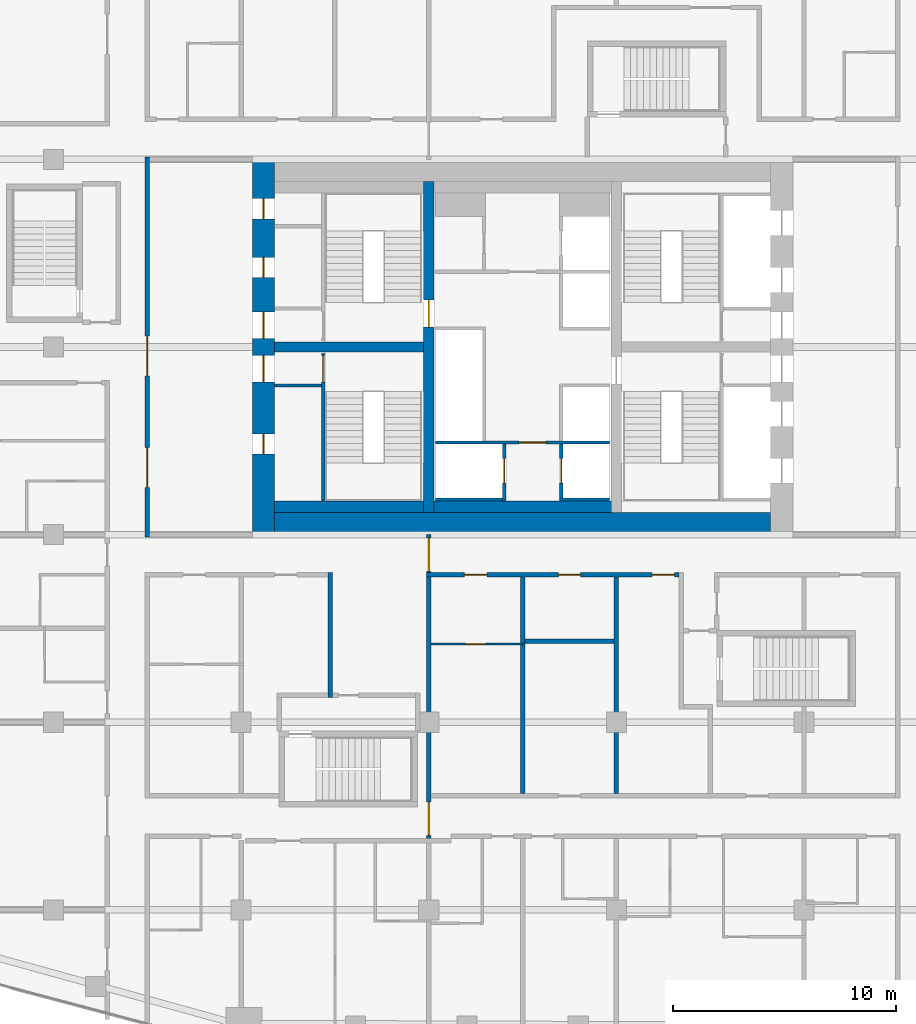
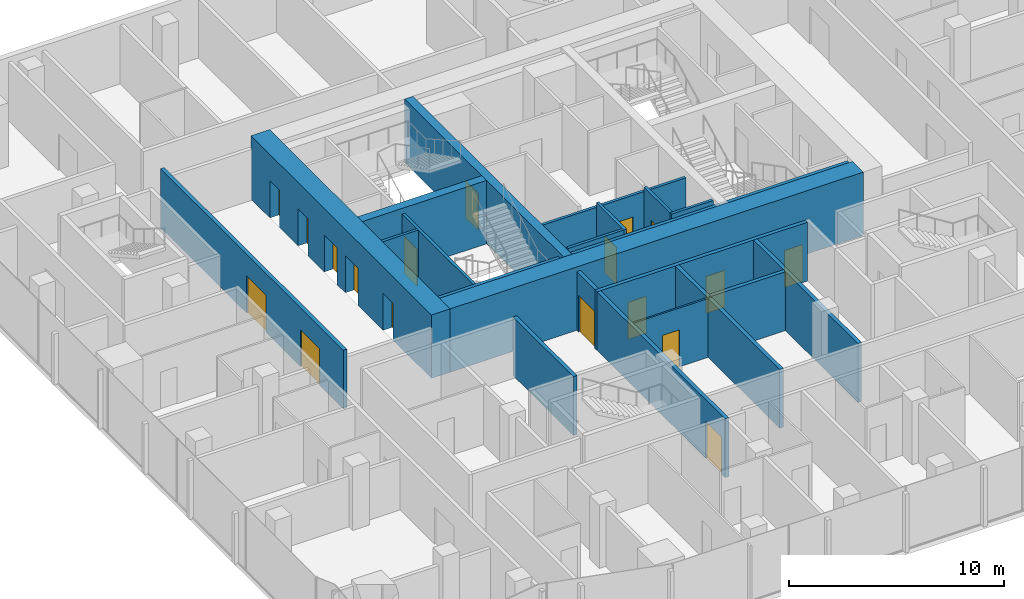
# One storey, part 15 of 23: 20 walls, 18 doors, 18 openings.
"""IFC4 building model written with IfcOpenShell, lengths in metres."""

from ifc_helpers import new_model, si_unit, direction, frame, frame_2d, origin, place, context, subcontext, project, spatial, rectangle, extrude, material, layer, layer_set, type_object, element, fill, save


model = new_model("IFC4")

# Units and contexts
model_context = context("Model", 3, precision=1e-05, world=origin(), true_north=direction((0.0, 1.0)))
body_context = subcontext(model_context, "Body", "Model", "MODEL_VIEW")
ifc_project = project(units=[si_unit("LENGTHUNIT", "METRE"), si_unit("AREAUNIT", "SQUARE_METRE"), si_unit("VOLUMEUNIT", "CUBIC_METRE"), si_unit("PLANEANGLEUNIT", "RADIAN"), si_unit("MASSUNIT", "GRAM", prefix="KILO")], contexts=[model_context])

# Site, building, storey
site_placement = place(None, origin())
site = spatial("IfcSite", under=ifc_project, at=site_placement, CompositionType="ELEMENT")
building_placement = place(site_placement, origin())
building = spatial("IfcBuilding", under=site, at=building_placement, Name="Marenta Gate Hotel Tower", CompositionType="ELEMENT")
storey_placement = place(building_placement, frame((0.0, 0.0, 162.5)))
storey = spatial("IfcBuildingStorey", under=building, at=storey_placement, Name="L38", CompositionType="ELEMENT", Elevation=162.5)

# Wall, openings, doors
ifc_material_1 = material(Name="Concrete blockwork", Category="masonry")
ifc_layer_1 = layer(ifc_material_1, 0.199951171875)
ifc_layer_set_1 = layer_set([ifc_layer_1], Name="Concrete blockwork")
wall_type_1 = type_object("IfcWallType", Name="Compartment wall 200 REI 180", PredefinedType="PARTITIONING", material=ifc_layer_set_1)
wall_1_placement = place(storey_placement, frame((-4.199951171875, -13.800048828125, 0.0), z_axis=(0.0, 0.0, 1.0), x_axis=(0.0, 1.0, 0.0)))
wall_1 = element("IfcWall", 1, at=wall_1_placement, inside=storey, type_object=wall_type_1, Name="L38-PTN-W074", PredefinedType="PARTITIONING", context=body_context, shape_type="SweptSolid", body=[
    extrude(rectangle(XDim=13.800048828125, YDim=0.199951171875, at=frame_2d((6.89990234375, 0.0))), origin(), (0.0, 0.0, 1.0), 3.340087890625),
])
opening_1_placement = place(wall_1_placement, frame((12.14990234375, 0.0, 0.0)))
opening_1 = element("IfcOpeningElement", 2, at=opening_1_placement, cuts=wall_1, Name="Opening G14-FD2", PredefinedType="OPENING", context=body_context, shape_type="SweptSolid", body=[
    extrude(rectangle(XDim=1.5, YDim=2.10009765625, at=frame_2d((0.75, 1.050048828125))), frame((0.0, 0.10009765625, 0.0), z_axis=(0.0, -1.0, 0.0), x_axis=(1.0, 0.0, 0.0)), (0.0, 0.0, 1.0), 0.199951171875),
])
opening_2_placement = place(wall_1_placement, frame((0.324951171875, 0.0, 0.0)))
opening_2 = element("IfcOpeningElement", 3, at=opening_2_placement, cuts=wall_1, Name="Opening G14-FD3", PredefinedType="OPENING", context=body_context, shape_type="SweptSolid", body=[
    extrude(rectangle(XDim=1.5, YDim=2.10009765625, at=frame_2d((0.75, 1.050048828125))), frame((0.0, 0.10009765625, 0.0), z_axis=(0.0, -1.0, 0.0), x_axis=(1.0, 0.0, 0.0)), (0.0, 0.0, 1.0), 0.199951171875),
])
ifc_material_2 = material(Name="Hollow steel door set", Category="steel")
door_type_1 = type_object("IfcDoorType", Name="Compartment fire door 1500x2100 EI 60", OperationType="DOUBLE_DOOR_DOUBLE_SWING", PredefinedType="DOOR", material=ifc_material_2)
door_1_placement = place(opening_1_placement, origin())
door_1 = element("IfcDoor", 4, at=door_1_placement, inside=storey, type_object=door_type_1, Name="L38-PD-FD02", OperationType="DOUBLE_DOOR_DOUBLE_SWING", OverallHeight=2.10009765625, OverallWidth=1.5, PredefinedType="DOOR", context=body_context, shape_type="SweptSolid", body=[
    extrude(rectangle(XDim=1.5, YDim=2.10009765625, at=frame_2d((0.75, 1.050048828125))), frame((0.0, 0.02490234375, 0.0), z_axis=(0.0, -1.0, 0.0), x_axis=(1.0, 0.0, 0.0)), (0.0, 0.0, 1.0), 0.050048828125),
])
fill(opening_1, door_1)
door_2_placement = place(opening_2_placement, origin())
door_2 = element("IfcDoor", 5, at=door_2_placement, inside=storey, type_object=door_type_1, Name="L38-PD-FD03", OperationType="DOUBLE_DOOR_DOUBLE_SWING", OverallHeight=2.10009765625, OverallWidth=1.5, PredefinedType="DOOR", context=body_context, shape_type="SweptSolid", body=[
    extrude(rectangle(XDim=1.5, YDim=2.10009765625, at=frame_2d((0.75, 1.050048828125))), frame((0.0, 0.02490234375, 0.0), z_axis=(0.0, -1.0, 0.0), x_axis=(1.0, 0.0, 0.0)), (0.0, 0.0, 1.0), 0.050048828125),
])
fill(opening_2, door_2)

ifc_material_3 = material(Name="Concrete blockwork", Category="masonry")
ifc_layer_2 = layer(ifc_material_3, 0.199951171875)
ifc_layer_set_2 = layer_set([ifc_layer_2], Name="Concrete blockwork")
wall_type_2 = type_object("IfcWallType", Name="Core boundary wall 200 REI 180", PredefinedType="PARTITIONING", material=ifc_layer_set_2)
wall_2_placement = place(storey_placement, frame((-16.800048828125, -0.10009765625, 0.0), z_axis=(0.0, 0.0, 1.0), x_axis=(0.0, 1.0, 0.0)))
wall_2 = element("IfcWall", 6, at=wall_2_placement, inside=storey, type_object=wall_type_2, Name="L38-CP-BW-W", PredefinedType="PARTITIONING", context=body_context, shape_type="SweptSolid", body=[
    extrude(rectangle(XDim=17.0, YDim=0.199951171875, at=frame_2d((8.5, 0.0))), origin(), (0.0, 0.0, 1.0), 3.340087890625),
])
opening_3_placement = place(wall_2_placement, frame((2.199951171875, 0.0, 0.0)))
opening_3 = element("IfcOpeningElement", 7, at=opening_3_placement, cuts=wall_2, Name="Opening ED-Wa-B", PredefinedType="OPENING", context=body_context, shape_type="SweptSolid", body=[
    extrude(rectangle(XDim=1.800048828125, YDim=2.10009765625, at=frame_2d((0.89990234375, 1.050048828125))), frame((0.0, 0.10009765625, 0.0), z_axis=(0.0, -1.0, 0.0), x_axis=(1.0, 0.0, 0.0)), (0.0, 0.0, 1.0), 0.199951171875),
])
opening_4_placement = place(wall_2_placement, frame((7.199951171875, 0.0, 0.0)))
opening_4 = element("IfcOpeningElement", 8, at=opening_4_placement, cuts=wall_2, Name="Opening ED-Wb-B", PredefinedType="OPENING", context=body_context, shape_type="SweptSolid", body=[
    extrude(rectangle(XDim=1.800048828125, YDim=2.10009765625, at=frame_2d((0.89990234375, 1.050048828125))), frame((0.0, 0.10009765625, 0.0), z_axis=(0.0, -1.0, 0.0), x_axis=(1.0, 0.0, 0.0)), (0.0, 0.0, 1.0), 0.199951171875),
])
ifc_material_4 = material(Name="Steel", Category="steel")
door_type_2 = type_object("IfcDoorType", Name="Core lobby entrance door 1800x2100 EI 60", OperationType="DOUBLE_DOOR_SINGLE_SWING", PredefinedType="DOOR", material=ifc_material_4)
door_3_placement = place(opening_3_placement, origin())
door_3 = element("IfcDoor", 9, at=door_3_placement, inside=storey, type_object=door_type_2, Name="ED-Wa-B", OperationType="DOUBLE_DOOR_SINGLE_SWING", OverallHeight=2.10009765625, OverallWidth=1.800048828125, PredefinedType="DOOR", context=body_context, shape_type="SweptSolid", body=[
    extrude(rectangle(XDim=1.800048828125, YDim=2.10009765625, at=frame_2d((0.89990234375, 1.050048828125))), frame((0.0, 0.02490234375, 0.0), z_axis=(0.0, -1.0, 0.0), x_axis=(1.0, 0.0, 0.0)), (0.0, 0.0, 1.0), 0.050048828125),
])
fill(opening_3, door_3)
door_4_placement = place(opening_4_placement, origin())
door_4 = element("IfcDoor", 10, at=door_4_placement, inside=storey, type_object=door_type_2, Name="ED-Wb-B", OperationType="DOUBLE_DOOR_SINGLE_SWING", OverallHeight=2.10009765625, OverallWidth=1.800048828125, PredefinedType="DOOR", context=body_context, shape_type="SweptSolid", body=[
    extrude(rectangle(XDim=1.800048828125, YDim=2.10009765625, at=frame_2d((0.89990234375, 1.050048828125))), frame((0.0, 0.02490234375, 0.0), z_axis=(0.0, -1.0, 0.0), x_axis=(1.0, 0.0, 0.0)), (0.0, 0.0, 1.0), 0.050048828125),
])
fill(opening_4, door_4)

# Wall
ifc_material_5 = material(Name="Concrete C40", Category="concrete")
ifc_layer_3 = layer(ifc_material_5, 0.5)
ifc_layer_set_3 = layer_set([ifc_layer_3], Name="Concrete C40")
wall_type_3 = type_object("IfcWallType", Name="Core lining wall 500 REI 180", PredefinedType="PARTITIONING", material=ifc_layer_set_3)
wall_3_placement = place(storey_placement, frame((-11.10009765625, 1.25, 0.0), z_axis=(0.0, 0.0, 1.0), x_axis=(1.0, 0.0, 0.0)))
element("IfcWall", 11, at=wall_3_placement, inside=storey, type_object=wall_type_3, Name="L38-CP-LN-S", PredefinedType="PARTITIONING", context=body_context, shape_type="SweptSolid", body=[
    extrude(rectangle(XDim=22.2001953125, YDim=0.5, at=frame_2d((11.10009765625, 0.0))), origin(), (0.0, 0.0, 1.0), 3.340087890625),
])

# Wall, opening, door
ifc_material_6 = material(Name="Concrete blockwork", Category="masonry")
ifc_layer_4 = layer(ifc_material_6, 0.14990234375)
ifc_layer_set_4 = layer_set([ifc_layer_4], Name="Concrete blockwork")
wall_type_4 = type_object("IfcWallType", Name="Core lobby partition 150 REI 180", PredefinedType="PARTITIONING", material=ifc_layer_set_4)
wall_4_placement = place(storey_placement, frame((-3.89990234375, 4.125, 0.0), z_axis=(0.0, 0.0, 1.0), x_axis=(1.0, 0.0, 0.0)))
wall_4 = element("IfcWall", 12, at=wall_4_placement, inside=storey, type_object=wall_type_4, Name="L38-CP-CW-S", PredefinedType="PARTITIONING", context=body_context, shape_type="SweptSolid", body=[
    extrude(rectangle(XDim=7.7998046875, YDim=0.14990234375, at=frame_2d((3.89990234375, 0.0))), origin(), (0.0, 0.0, 1.0), 3.340087890625),
])
opening_5_placement = place(wall_4_placement, frame((3.75, 0.0, 0.0)))
opening_5 = element("IfcOpeningElement", 13, at=opening_5_placement, cuts=wall_4, Name="Opening FD-FFS", PredefinedType="OPENING", context=body_context, shape_type="SweptSolid", body=[
    extrude(rectangle(XDim=1.199951171875, YDim=2.10009765625, at=frame_2d((0.60009765625, 1.050048828125))), frame((0.0, 0.074951171875, 0.0), z_axis=(0.0, -1.0, 0.0), x_axis=(1.0, 0.0, 0.0)), (0.0, 0.0, 1.0), 0.14990234375),
])
ifc_material_7 = material(Name="Steel", Category="steel")
door_type_3 = type_object("IfcDoorType", Name="Core lobby door 1200x2100 FD60", OperationType="SINGLE_SWING_LEFT", PredefinedType="DOOR", material=ifc_material_7)
door_5_placement = place(opening_5_placement, origin())
door_5 = element("IfcDoor", 14, at=door_5_placement, inside=storey, type_object=door_type_3, Name="FD-FFS", OperationType="SINGLE_SWING_LEFT", OverallHeight=2.10009765625, OverallWidth=1.199951171875, PredefinedType="DOOR", context=body_context, shape_type="SweptSolid", body=[
    extrude(rectangle(XDim=1.199951171875, YDim=2.10009765625, at=frame_2d((0.60009765625, 1.050048828125))), frame((0.0, 0.02490234375, 0.0), z_axis=(0.0, -1.0, 0.0), x_axis=(1.0, 0.0, 0.0)), (0.0, 0.0, 1.0), 0.050048828125),
])
fill(opening_5, door_5)

# Wall
ifc_material_8 = material(Name="Concrete blockwork", Category="masonry")
ifc_layer_5 = layer(ifc_material_8, 0.14990234375)
ifc_layer_set_5 = layer_set([ifc_layer_5], Name="Concrete blockwork")
wall_type_5 = type_object("IfcWallType", Name="Core room partition 150 REI 180", PredefinedType="PARTITIONING", material=ifc_layer_set_5)
wall_5_placement = place(storey_placement, frame((-11.10009765625, 6.675048828125, 0.0), z_axis=(0.0, 0.0, 1.0), x_axis=(1.0, 0.0, 0.0)))
element("IfcWall", 15, at=wall_5_placement, inside=storey, type_object=wall_type_5, Name="L38-CP-SW-WS-2", PredefinedType="PARTITIONING", context=body_context, shape_type="SweptSolid", body=[
    extrude(rectangle(XDim=2.10009765625, YDim=0.14990234375, at=frame_2d((1.050048828125, 0.0))), origin(), (0.0, 0.0, 1.0), 3.340087890625),
])

# Wall, opening, door
ifc_material_9 = material(Name="Concrete C40", Category="concrete")
ifc_layer_6 = layer(ifc_material_9, 0.14990234375)
ifc_layer_set_6 = layer_set([ifc_layer_6], Name="Concrete C40")
wall_type_6 = type_object("IfcWallType", Name="Core shaft wall 150 REI 180", PredefinedType="SHEAR", material=ifc_layer_set_6)
wall_6_placement = place(storey_placement, frame((-0.824951171875, 1.5, 0.0), z_axis=(0.0, 0.0, 1.0), x_axis=(0.0, 1.0, 0.0)))
wall_6 = element("IfcWall", 16, at=wall_6_placement, inside=storey, type_object=wall_type_6, Name="L38-SHF-CW-W-ff", PredefinedType="SHEAR", context=body_context, shape_type="SweptSolid", body=[
    extrude(rectangle(XDim=2.550048828125, YDim=0.14990234375, at=frame_2d((1.27490234375, 0.0))), origin(), (0.0, 0.0, 1.0), 3.60009765625),
])
opening_6_placement = place(wall_6_placement, frame((0.800048828125, 0.0, 0.0)))
opening_6 = element("IfcOpeningElement", 17, at=opening_6_placement, cuts=wall_6, Name="Opening LD-FF1", PredefinedType="OPENING", context=body_context, shape_type="SweptSolid", body=[
    extrude(rectangle(XDim=1.10009765625, YDim=2.10009765625, at=frame_2d((0.550048828125, 1.050048828125))), frame((0.0, 0.074951171875, 0.0), z_axis=(0.0, -1.0, 0.0), x_axis=(1.0, 0.0, 0.0)), (0.0, 0.0, 1.0), 0.14990234375),
])
ifc_material_10 = material(Name="Steel", Category="steel")
door_type_4 = type_object("IfcDoorType", Name="Core lift landing door 1100x2100 E 60", OperationType="SLIDING_TO_LEFT", PredefinedType="DOOR", material=ifc_material_10)
door_6_placement = place(opening_6_placement, origin())
door_6 = element("IfcDoor", 18, at=door_6_placement, inside=storey, type_object=door_type_4, Name="LD-FF1", OperationType="SLIDING_TO_LEFT", OverallHeight=2.10009765625, OverallWidth=1.10009765625, PredefinedType="DOOR", context=body_context, shape_type="SweptSolid", body=[
    extrude(rectangle(XDim=1.10009765625, YDim=2.10009765625, at=frame_2d((0.550048828125, 1.050048828125))), frame((0.0, 0.02490234375, 0.0), z_axis=(0.0, -1.0, 0.0), x_axis=(1.0, 0.0, 0.0)), (0.0, 0.0, 1.0), 0.050048828125),
])
fill(opening_6, door_6)

# Wall
wall_7_placement = place(storey_placement, frame((-3.89990234375, 1.574951171875, 0.0), z_axis=(0.0, 0.0, 1.0), x_axis=(1.0, 0.0, 0.0)))
element("IfcWall", 19, at=wall_7_placement, inside=storey, type_object=wall_type_6, Name="L38-SHF-CW-W-ffs", PredefinedType="SHEAR", context=body_context, shape_type="SweptSolid", body=[
    extrude(rectangle(XDim=3.0, YDim=0.14990234375, at=frame_2d((1.5, 0.0))), origin(), (0.0, 0.0, 1.0), 3.60009765625),
])

# Wall, opening, door
wall_8_placement = place(storey_placement, frame((1.72509765625, 1.64990234375, 0.0), z_axis=(0.0, 0.0, 1.0), x_axis=(0.0, 1.0, 0.0)))
wall_8 = element("IfcWall", 20, at=wall_8_placement, inside=storey, type_object=wall_type_6, Name="L38-SHF-CE-S-ls", PredefinedType="SHEAR", context=body_context, shape_type="SweptSolid", body=[
    extrude(rectangle(XDim=2.400146484375, YDim=0.14990234375, at=frame_2d((1.2001953125, 0.0))), origin(), (0.0, 0.0, 1.0), 3.60009765625),
])
opening_7_placement = place(wall_8_placement, frame((0.64990234375, 0.0, 0.0)))
opening_7 = element("IfcOpeningElement", 21, at=opening_7_placement, cuts=wall_8, Name="Opening LD-SV1", PredefinedType="OPENING", context=body_context, shape_type="SweptSolid", body=[
    extrude(rectangle(XDim=1.10009765625, YDim=2.10009765625, at=frame_2d((0.550048828125, 1.050048828125))), frame((0.0, 0.074951171875, 0.0), z_axis=(0.0, -1.0, 0.0), x_axis=(1.0, 0.0, 0.0)), (0.0, 0.0, 1.0), 0.14990234375),
])
door_7_placement = place(opening_7_placement, origin())
door_7 = element("IfcDoor", 22, at=door_7_placement, inside=storey, type_object=door_type_4, Name="LD-SV1", OperationType="SLIDING_TO_LEFT", OverallHeight=2.10009765625, OverallWidth=1.10009765625, PredefinedType="DOOR", context=body_context, shape_type="SweptSolid", body=[
    extrude(rectangle(XDim=1.10009765625, YDim=2.10009765625, at=frame_2d((0.550048828125, 1.050048828125))), frame((0.0, 0.02490234375, 0.0), z_axis=(0.0, -1.0, 0.0), x_axis=(1.0, 0.0, 0.0)), (0.0, 0.0, 1.0), 0.050048828125),
])
fill(opening_7, door_7)

# Wall
wall_9_placement = place(storey_placement, frame((1.64990234375, 1.574951171875, 0.0), z_axis=(0.0, 0.0, 1.0), x_axis=(1.0, 0.0, 0.0)))
element("IfcWall", 23, at=wall_9_placement, inside=storey, type_object=wall_type_6, Name="L38-SHF-CE-S-bot", PredefinedType="SHEAR", context=body_context, shape_type="SweptSolid", body=[
    extrude(rectangle(XDim=2.25, YDim=0.14990234375, at=frame_2d((1.125, 0.0))), origin(), (0.0, 0.0, 1.0), 3.60009765625),
])

# Wall, opening, door
ifc_material_11 = material(Name="Concrete C40", Category="concrete")
ifc_layer_7 = layer(ifc_material_11, 0.14990234375)
ifc_layer_set_7 = layer_set([ifc_layer_7], Name="Concrete C40")
wall_type_7 = type_object("IfcWallType", Name="Core stair enclosure wall 150 REI 180", PredefinedType="SHEAR", material=ifc_layer_set_7)
wall_10_placement = place(storey_placement, frame((-8.925048828125, 1.5, 0.0), z_axis=(0.0, 0.0, 1.0), x_axis=(0.0, 1.0, 0.0)))
wall_10 = element("IfcWall", 24, at=wall_10_placement, inside=storey, type_object=wall_type_7, Name="L38-SHF-SW-WS-3", PredefinedType="SHEAR", context=body_context, shape_type="SweptSolid", body=[
    extrude(rectangle(XDim=6.60009765625, YDim=0.14990234375, at=frame_2d((3.300048828125, 0.0))), origin(), (0.0, 0.0, 1.0), 3.340087890625),
])
opening_8_placement = place(wall_10_placement, frame((5.324951171875, 0.0, 0.0)))
opening_8 = element("IfcOpeningElement", 25, at=opening_8_placement, cuts=wall_10, Name="Opening SD-WS", PredefinedType="OPENING", context=body_context, shape_type="SweptSolid", body=[
    extrude(rectangle(XDim=1.199951171875, YDim=2.10009765625, at=frame_2d((0.60009765625, 1.050048828125))), frame((0.0, 0.074951171875, 0.0), z_axis=(0.0, -1.0, 0.0), x_axis=(1.0, 0.0, 0.0)), (0.0, 0.0, 1.0), 0.14990234375),
])
ifc_material_12 = material(Name="Steel", Category="steel")
door_type_5 = type_object("IfcDoorType", Name="Core stair door 1200x2100 FD60", OperationType="SINGLE_SWING_LEFT", PredefinedType="DOOR", material=ifc_material_12)
door_8_placement = place(opening_8_placement, origin())
door_8 = element("IfcDoor", 26, at=door_8_placement, inside=storey, type_object=door_type_5, Name="SD-WS", OperationType="SINGLE_SWING_LEFT", OverallHeight=2.10009765625, OverallWidth=1.199951171875, PredefinedType="DOOR", context=body_context, shape_type="SweptSolid", body=[
    extrude(rectangle(XDim=1.199951171875, YDim=2.10009765625, at=frame_2d((0.60009765625, 1.050048828125))), frame((0.0, 0.02490234375, 0.0), z_axis=(0.0, -1.0, 0.0), x_axis=(1.0, 0.0, 0.0)), (0.0, 0.0, 1.0), 0.050048828125),
])
fill(opening_8, door_8)

# Wall, openings, doors
ifc_material_13 = material(Name="Concrete C70", Category="concrete")
ifc_layer_8 = layer(ifc_material_13, 1.0)
ifc_layer_set_8 = layer_set([ifc_layer_8], Name="Concrete C70")
wall_type_8 = type_object("IfcWallType", Name="Core wall 1000 C70", PredefinedType="SHEAR", material=ifc_layer_set_8)
wall_11_placement = place(storey_placement, frame((-11.60009765625, 0.0, 0.0), z_axis=(0.0, 0.0, 1.0), x_axis=(0.0, 1.0, 0.0)))
wall_11 = element("IfcWall", 27, at=wall_11_placement, inside=storey, type_object=wall_type_8, Name="L38-CORE-W", PredefinedType="SHEAR", context=body_context, shape_type="SweptSolid", body=[
    extrude(rectangle(XDim=16.800048828125, YDim=1.0, at=frame_2d((8.39990234375, 0.0))), origin(), (0.0, 0.0, 1.0), 3.60009765625),
])
opening_9_placement = place(wall_11_placement, frame((3.60009765625, 0.0, 0.0)))
opening_9 = element("IfcOpeningElement", 28, at=opening_9_placement, cuts=wall_11, Name="Opening RD-WS-1", PredefinedType="OPENING", context=body_context, shape_type="SweptSolid", body=[
    extrude(rectangle(XDim=0.89990234375, YDim=2.10009765625, at=frame_2d((0.449951171875, 1.050048828125))), frame((0.0, 0.5, 0.0), z_axis=(0.0, -1.0, 0.0), x_axis=(1.0, 0.0, 0.0)), (0.0, 0.0, 1.0), 1.0),
])
opening_10_placement = place(wall_11_placement, frame((6.824951171875, 0.0, 0.0)))
opening_10 = element("IfcOpeningElement", 29, at=opening_10_placement, cuts=wall_11, Name="Opening PD-WS", PredefinedType="OPENING", context=body_context, shape_type="SweptSolid", body=[
    extrude(rectangle(XDim=1.199951171875, YDim=2.10009765625, at=frame_2d((0.60009765625, 1.050048828125))), frame((0.0, 0.5, 0.0), z_axis=(0.0, -1.0, 0.0), x_axis=(1.0, 0.0, 0.0)), (0.0, 0.0, 1.0), 1.0),
])
opening_11_placement = place(wall_11_placement, frame((14.137451171875, 0.0, 0.0)))
opening_11 = element("IfcOpeningElement", 30, at=opening_11_placement, cuts=wall_11, Name="Opening RD-WN-1", PredefinedType="OPENING", context=body_context, shape_type="SweptSolid", body=[
    extrude(rectangle(XDim=0.89990234375, YDim=2.10009765625, at=frame_2d((0.449951171875, 1.050048828125))), frame((0.0, 0.5, 0.0), z_axis=(0.0, -1.0, 0.0), x_axis=(1.0, 0.0, 0.0)), (0.0, 0.0, 1.0), 1.0),
])
opening_12_placement = place(wall_11_placement, frame((11.512451171875, 0.0, 0.0)))
opening_12 = element("IfcOpeningElement", 31, at=opening_12_placement, cuts=wall_11, Name="Opening RD-WN-2", PredefinedType="OPENING", context=body_context, shape_type="SweptSolid", body=[
    extrude(rectangle(XDim=0.89990234375, YDim=2.10009765625, at=frame_2d((0.449951171875, 1.050048828125))), frame((0.0, 0.5, 0.0), z_axis=(0.0, -1.0, 0.0), x_axis=(1.0, 0.0, 0.0)), (0.0, 0.0, 1.0), 1.0),
])
opening_13_placement = place(wall_11_placement, frame((8.77490234375, 0.0, 0.0)))
opening_13 = element("IfcOpeningElement", 32, at=opening_13_placement, cuts=wall_11, Name="Opening PD-WN", PredefinedType="OPENING", context=body_context, shape_type="SweptSolid", body=[
    extrude(rectangle(XDim=1.199951171875, YDim=2.10009765625, at=frame_2d((0.60009765625, 1.050048828125))), frame((0.0, 0.5, 0.0), z_axis=(0.0, -1.0, 0.0), x_axis=(1.0, 0.0, 0.0)), (0.0, 0.0, 1.0), 1.0),
])
door_9_placement = place(opening_10_placement, origin())
door_9 = element("IfcDoor", 33, at=door_9_placement, inside=storey, type_object=door_type_3, Name="PD-WS", OperationType="SINGLE_SWING_LEFT", OverallHeight=2.10009765625, OverallWidth=1.199951171875, PredefinedType="DOOR", context=body_context, shape_type="SweptSolid", body=[
    extrude(rectangle(XDim=1.199951171875, YDim=2.10009765625, at=frame_2d((0.60009765625, 1.050048828125))), frame((0.0, 0.02490234375, 0.0), z_axis=(0.0, -1.0, 0.0), x_axis=(1.0, 0.0, 0.0)), (0.0, 0.0, 1.0), 0.050048828125),
])
fill(opening_10, door_9)
door_10_placement = place(opening_13_placement, origin())
door_10 = element("IfcDoor", 34, at=door_10_placement, inside=storey, type_object=door_type_3, Name="PD-WN", OperationType="SINGLE_SWING_LEFT", OverallHeight=2.10009765625, OverallWidth=1.199951171875, PredefinedType="DOOR", context=body_context, shape_type="SweptSolid", body=[
    extrude(rectangle(XDim=1.199951171875, YDim=2.10009765625, at=frame_2d((0.60009765625, 1.050048828125))), frame((0.0, 0.02490234375, 0.0), z_axis=(0.0, -1.0, 0.0), x_axis=(1.0, 0.0, 0.0)), (0.0, 0.0, 1.0), 0.050048828125),
])
fill(opening_13, door_10)
ifc_material_14 = material(Name="Steel", Category="steel")
door_type_6 = type_object("IfcDoorType", Name="Core service room door 900x2100 FD30S", OperationType="SINGLE_SWING_LEFT", PredefinedType="DOOR", material=ifc_material_14)
door_11_placement = place(opening_9_placement, origin())
door_11 = element("IfcDoor", 35, at=door_11_placement, inside=storey, type_object=door_type_6, Name="RD-WS-1", OperationType="SINGLE_SWING_LEFT", OverallHeight=2.10009765625, OverallWidth=0.89990234375, PredefinedType="DOOR", context=body_context, shape_type="SweptSolid", body=[
    extrude(rectangle(XDim=0.89990234375, YDim=2.10009765625, at=frame_2d((0.449951171875, 1.050048828125))), frame((0.0, 0.02490234375, 0.0), z_axis=(0.0, -1.0, 0.0), x_axis=(1.0, 0.0, 0.0)), (0.0, 0.0, 1.0), 0.050048828125),
])
fill(opening_9, door_11)
door_12_placement = place(opening_11_placement, origin())
door_12 = element("IfcDoor", 36, at=door_12_placement, inside=storey, type_object=door_type_6, Name="RD-WN-1", OperationType="SINGLE_SWING_LEFT", OverallHeight=2.10009765625, OverallWidth=0.89990234375, PredefinedType="DOOR", context=body_context, shape_type="SweptSolid", body=[
    extrude(rectangle(XDim=0.89990234375, YDim=2.10009765625, at=frame_2d((0.449951171875, 1.050048828125))), frame((0.0, 0.02490234375, 0.0), z_axis=(0.0, -1.0, 0.0), x_axis=(1.0, 0.0, 0.0)), (0.0, 0.0, 1.0), 0.050048828125),
])
fill(opening_11, door_12)
door_13_placement = place(opening_12_placement, origin())
door_13 = element("IfcDoor", 37, at=door_13_placement, inside=storey, type_object=door_type_6, Name="RD-WN-2", OperationType="SINGLE_SWING_LEFT", OverallHeight=2.10009765625, OverallWidth=0.89990234375, PredefinedType="DOOR", context=body_context, shape_type="SweptSolid", body=[
    extrude(rectangle(XDim=0.89990234375, YDim=2.10009765625, at=frame_2d((0.449951171875, 1.050048828125))), frame((0.0, 0.02490234375, 0.0), z_axis=(0.0, -1.0, 0.0), x_axis=(1.0, 0.0, 0.0)), (0.0, 0.0, 1.0), 0.050048828125),
])
fill(opening_12, door_13)

# Wall
wall_12_placement = place(storey_placement, frame((-11.10009765625, 0.5, 0.0), z_axis=(0.0, 0.0, 1.0), x_axis=(1.0, 0.0, 0.0)))
element("IfcWall", 38, at=wall_12_placement, inside=storey, type_object=wall_type_8, Name="L38-CORE-S", PredefinedType="SHEAR", context=body_context, shape_type="SweptSolid", body=[
    extrude(rectangle(XDim=22.2001953125, YDim=1.0, at=frame_2d((11.10009765625, 0.0))), origin(), (0.0, 0.0, 1.0), 3.60009765625),
])

# Wall, opening, door
ifc_material_15 = material(Name="Concrete C70", Category="concrete")
ifc_layer_9 = layer(ifc_material_15, 0.449951171875)
ifc_layer_set_9 = layer_set([ifc_layer_9], Name="Concrete C70")
wall_type_9 = type_object("IfcWallType", Name="Core web 450 C70", PredefinedType="SHEAR", material=ifc_layer_set_9)
wall_13_placement = place(storey_placement, frame((-4.199951171875, 1.0, 0.0), z_axis=(0.0, 0.0, 1.0), x_axis=(0.0, 1.0, 0.0)))
wall_13 = element("IfcWall", 39, at=wall_13_placement, inside=storey, type_object=wall_type_9, Name="L38-CORE-W1", PredefinedType="SHEAR", context=body_context, shape_type="SweptSolid", body=[
    extrude(rectangle(XDim=14.800048828125, YDim=0.449951171875, at=frame_2d((7.39990234375, 0.0))), origin(), (0.0, 0.0, 1.0), 3.60009765625),
])
opening_14_placement = place(wall_13_placement, frame((8.300048828125, 0.0, 0.0)))
opening_14 = element("IfcOpeningElement", 40, at=opening_14_placement, cuts=wall_13, Name="Opening WD-W", PredefinedType="OPENING", context=body_context, shape_type="SweptSolid", body=[
    extrude(rectangle(XDim=1.199951171875, YDim=2.10009765625, at=frame_2d((0.60009765625, 1.050048828125))), frame((0.0, 0.22509765625, 0.0), z_axis=(0.0, -1.0, 0.0), x_axis=(1.0, 0.0, 0.0)), (0.0, 0.0, 1.0), 0.449951171875),
])
door_14_placement = place(opening_14_placement, origin())
door_14 = element("IfcDoor", 41, at=door_14_placement, inside=storey, type_object=door_type_5, Name="WD-W", OperationType="SINGLE_SWING_LEFT", OverallHeight=2.10009765625, OverallWidth=1.199951171875, PredefinedType="DOOR", context=body_context, shape_type="SweptSolid", body=[
    extrude(rectangle(XDim=1.199951171875, YDim=2.10009765625, at=frame_2d((0.60009765625, 1.050048828125))), frame((0.0, 0.02490234375, 0.0), z_axis=(0.0, -1.0, 0.0), x_axis=(1.0, 0.0, 0.0)), (0.0, 0.0, 1.0), 0.050048828125),
])
fill(opening_14, door_14)

# Wall
wall_14_placement = place(storey_placement, frame((-11.10009765625, 8.39990234375, 0.0), z_axis=(0.0, 0.0, 1.0), x_axis=(1.0, 0.0, 0.0)))
element("IfcWall", 42, at=wall_14_placement, inside=storey, type_object=wall_type_9, Name="L38-CORE-W3", PredefinedType="SHEAR", context=body_context, shape_type="SweptSolid", body=[
    extrude(rectangle(XDim=6.675048828125, YDim=0.449951171875, at=frame_2d((3.33740234375, 0.0))), origin(), (0.0, 0.0, 1.0), 3.60009765625),
])

# Wall, openings, doors
ifc_material_16 = material(Name="Concrete blockwork", Category="masonry")
ifc_layer_10 = layer(ifc_material_16, 0.199951171875)
ifc_layer_set_10 = layer_set([ifc_layer_10], Name="Concrete blockwork")
wall_type_10 = type_object("IfcWallType", Name="Room corridor wall 200 EI 120", PredefinedType="PARTITIONING", material=ifc_layer_set_10)
wall_15_placement = place(storey_placement, frame((-4.300048828125, -1.800048828125, 0.0), z_axis=(0.0, 0.0, 1.0), x_axis=(1.0, 0.0, 0.0)))
wall_15 = element("IfcWall", 43, at=wall_15_placement, inside=storey, type_object=wall_type_10, Name="L38-PTN-W062", PredefinedType="PARTITIONING", context=body_context, shape_type="SweptSolid", body=[
    extrude(rectangle(XDim=11.300048828125, YDim=0.199951171875, at=frame_2d((5.64990234375, 0.0))), origin(), (0.0, 0.0, 1.0), 3.340087890625),
])
opening_15_placement = place(wall_15_placement, frame((1.699951171875, 0.0, 0.0)))
opening_15 = element("IfcOpeningElement", 44, at=opening_15_placement, cuts=wall_15, Name="Opening G14-04", PredefinedType="OPENING", context=body_context, shape_type="SweptSolid", body=[
    extrude(rectangle(XDim=1.0, YDim=2.10009765625, at=frame_2d((0.5, 1.050048828125))), frame((0.0, 0.10009765625, 0.0), z_axis=(0.0, -1.0, 0.0), x_axis=(1.0, 0.0, 0.0)), (0.0, 0.0, 1.0), 0.199951171875),
])
opening_16_placement = place(wall_15_placement, frame((10.10009765625, 0.0, 0.0)))
opening_16 = element("IfcOpeningElement", 45, at=opening_16_placement, cuts=wall_15, Name="Opening G14-06", PredefinedType="OPENING", context=body_context, shape_type="SweptSolid", body=[
    extrude(rectangle(XDim=1.0, YDim=2.10009765625, at=frame_2d((0.5, 1.050048828125))), frame((0.0, 0.10009765625, 0.0), z_axis=(0.0, -1.0, 0.0), x_axis=(1.0, 0.0, 0.0)), (0.0, 0.0, 1.0), 0.199951171875),
])
opening_17_placement = place(wall_15_placement, frame((5.89990234375, 0.0, 0.0)))
opening_17 = element("IfcOpeningElement", 46, at=opening_17_placement, cuts=wall_15, Name="Opening G14-65", PredefinedType="OPENING", context=body_context, shape_type="SweptSolid", body=[
    extrude(rectangle(XDim=1.0, YDim=2.10009765625, at=frame_2d((0.5, 1.050048828125))), frame((0.0, 0.10009765625, 0.0), z_axis=(0.0, -1.0, 0.0), x_axis=(1.0, 0.0, 0.0)), (0.0, 0.0, 1.0), 0.199951171875),
])
ifc_material_17 = material(Name="Timber door leaf", Category="wood")
door_type_7 = type_object("IfcDoorType", Name="Room amenity door 1000x2100 EI 60", OperationType="NOTDEFINED", PredefinedType="DOOR", material=ifc_material_17)
door_15_placement = place(opening_16_placement, origin())
door_15 = element("IfcDoor", 47, at=door_15_placement, inside=storey, type_object=door_type_7, Name="L38-PD-D006", OperationType="SINGLE_SWING_LEFT", OverallHeight=2.10009765625, OverallWidth=1.0, PredefinedType="DOOR", context=body_context, shape_type="SweptSolid", body=[
    extrude(rectangle(XDim=1.0, YDim=2.10009765625, at=frame_2d((0.5, 1.050048828125))), frame((0.0, 0.02490234375, 0.0), z_axis=(0.0, -1.0, 0.0), x_axis=(1.0, 0.0, 0.0)), (0.0, 0.0, 1.0), 0.050048828125),
])
fill(opening_16, door_15)
door_16_placement = place(opening_17_placement, origin())
door_16 = element("IfcDoor", 48, at=door_16_placement, inside=storey, type_object=door_type_7, Name="L38-PD-D065", OperationType="SINGLE_SWING_LEFT", OverallHeight=2.10009765625, OverallWidth=1.0, PredefinedType="DOOR", context=body_context, shape_type="SweptSolid", body=[
    extrude(rectangle(XDim=1.0, YDim=2.10009765625, at=frame_2d((0.5, 1.050048828125))), frame((0.0, 0.02490234375, 0.0), z_axis=(0.0, -1.0, 0.0), x_axis=(1.0, 0.0, 0.0)), (0.0, 0.0, 1.0), 0.050048828125),
])
fill(opening_17, door_16)
ifc_material_18 = material(Name="Hollow steel door set", Category="steel")
door_type_8 = type_object("IfcDoorType", Name="Room service door 1000x2100 EI 60", OperationType="NOTDEFINED", PredefinedType="DOOR", material=ifc_material_18)
door_17_placement = place(opening_15_placement, origin())
door_17 = element("IfcDoor", 49, at=door_17_placement, inside=storey, type_object=door_type_8, Name="L38-PD-D004", OperationType="SINGLE_SWING_RIGHT", OverallHeight=2.10009765625, OverallWidth=1.0, PredefinedType="DOOR", context=body_context, shape_type="SweptSolid", body=[
    extrude(rectangle(XDim=1.0, YDim=2.10009765625, at=frame_2d((0.5, 1.050048828125))), frame((0.0, 0.02490234375, 0.0), z_axis=(0.0, -1.0, 0.0), x_axis=(1.0, 0.0, 0.0)), (0.0, 0.0, 1.0), 0.050048828125),
])
fill(opening_15, door_17)

# Wall
ifc_material_19 = material(Name="Gypsum board on steel stud", Category="steel")
ifc_layer_11 = layer(ifc_material_19, 0.199951171875)
ifc_layer_set_11 = layer_set([ifc_layer_11], Name="Gypsum board on steel stud")
wall_type_11 = type_object("IfcWallType", Name="Room corridor wall 200 EI 60", PredefinedType="PARTITIONING", material=ifc_layer_set_11)
wall_16_placement = place(storey_placement, frame((-8.60009765625, -7.300048828125, 0.0), z_axis=(0.0, 0.0, 1.0), x_axis=(0.0, 1.0, 0.0)))
element("IfcWall", 50, at=wall_16_placement, inside=storey, type_object=wall_type_11, Name="L38-PTN-W084", PredefinedType="PARTITIONING", context=body_context, shape_type="SweptSolid", body=[
    extrude(rectangle(XDim=5.60009765625, YDim=0.199951171875, at=frame_2d((2.800048828125, 0.0))), origin(), (0.0, 0.0, 1.0), 3.340087890625),
])

# Wall, opening, door
ifc_material_20 = material(Name="Gypsum board on steel stud", Category="steel")
ifc_layer_12 = layer(ifc_material_20, 0.10009765625)
ifc_layer_set_12 = layer_set([ifc_layer_12], Name="Gypsum board on steel stud")
wall_type_12 = type_object("IfcWallType", Name="Room partition 100", PredefinedType="PARTITIONING", material=ifc_layer_set_12)
wall_17_placement = place(storey_placement, frame((-4.10009765625, -4.89990234375, 0.0), z_axis=(0.0, 0.0, 1.0), x_axis=(1.0, 0.0, 0.0)))
wall_17 = element("IfcWall", 51, at=wall_17_placement, inside=storey, type_object=wall_type_12, Name="L38-PTN-W051", PredefinedType="PARTITIONING", context=body_context, shape_type="SweptSolid", body=[
    extrude(rectangle(XDim=4.2001953125, YDim=0.10009765625, at=frame_2d((2.10009765625, 0.0))), origin(), (0.0, 0.0, 1.0), 3.340087890625),
])
opening_18_placement = place(wall_17_placement, frame((1.550048828125, 0.0, 0.0)))
opening_18 = element("IfcOpeningElement", 52, at=opening_18_placement, cuts=wall_17, Name="Opening G14-05", PredefinedType="OPENING", context=body_context, shape_type="SweptSolid", body=[
    extrude(rectangle(XDim=0.89990234375, YDim=2.10009765625, at=frame_2d((0.449951171875, 1.050048828125))), frame((0.0, 0.050048828125, 0.0), z_axis=(0.0, -1.0, 0.0), x_axis=(1.0, 0.0, 0.0)), (0.0, 0.0, 1.0), 0.10009765625),
])
ifc_material_21 = material(Name="Timber door leaf", Category="wood")
door_type_9 = type_object("IfcDoorType", Name="Room inner door 900x2100", OperationType="NOTDEFINED", PredefinedType="DOOR", material=ifc_material_21)
door_18_placement = place(opening_18_placement, origin())
door_18 = element("IfcDoor", 53, at=door_18_placement, inside=storey, type_object=door_type_9, Name="L38-PD-D005", OperationType="SINGLE_SWING_LEFT", OverallHeight=2.10009765625, OverallWidth=0.89990234375, PredefinedType="DOOR", context=body_context, shape_type="SweptSolid", body=[
    extrude(rectangle(XDim=0.89990234375, YDim=2.10009765625, at=frame_2d((0.449951171875, 1.050048828125))), frame((0.0, 0.02490234375, 0.0), z_axis=(0.0, -1.0, 0.0), x_axis=(1.0, 0.0, 0.0)), (0.0, 0.0, 1.0), 0.050048828125),
])
fill(opening_18, door_18)

# Walls
ifc_material_22 = material(Name="Concrete blockwork", Category="masonry")
ifc_layer_13 = layer(ifc_material_22, 0.199951171875)
ifc_layer_set_13 = layer_set([ifc_layer_13], Name="Concrete blockwork")
wall_type_13 = type_object("IfcWallType", Name="Room party wall 200 EI 120", PredefinedType="PARTITIONING", material=ifc_layer_set_13)
wall_18_placement = place(storey_placement, frame((0.0, -11.60009765625, 0.0), z_axis=(0.0, 0.0, 1.0), x_axis=(0.0, 1.0, 0.0)))
element("IfcWall", 54, at=wall_18_placement, inside=storey, type_object=wall_type_13, Name="L38-PTN-W066", PredefinedType="PARTITIONING", context=body_context, shape_type="SweptSolid", body=[
    extrude(rectangle(XDim=9.7001953125, YDim=0.199951171875, at=frame_2d((4.85009765625, 0.0))), origin(), (0.0, 0.0, 1.0), 3.340087890625),
])
ifc_material_23 = material(Name="Gypsum board on steel stud", Category="steel")
ifc_layer_14 = layer(ifc_material_23, 0.199951171875)
ifc_layer_set_14 = layer_set([ifc_layer_14], Name="Gypsum board on steel stud")
wall_type_14 = type_object("IfcWallType", Name="Room party wall 200 EI 60", PredefinedType="PARTITIONING", material=ifc_layer_set_14)
wall_19_placement = place(storey_placement, frame((0.10009765625, -4.77001953125, 0.0), z_axis=(0.0, 0.0, 1.0), x_axis=(1.0, 0.0, 0.0)))
element("IfcWall", 55, at=wall_19_placement, inside=storey, type_object=wall_type_14, Name="L38-PTN-W052", PredefinedType="PARTITIONING", context=body_context, shape_type="SweptSolid", body=[
    extrude(rectangle(XDim=4.0, YDim=0.199951171875, at=frame_2d((2.0, 0.0))), origin(), (0.0, 0.0, 1.0), 3.340087890625),
])
wall_20_placement = place(storey_placement, frame((4.199951171875, -11.60009765625, 0.0), z_axis=(0.0, 0.0, 1.0), x_axis=(0.0, 1.0, 0.0)))
element("IfcWall", 56, at=wall_20_placement, inside=storey, type_object=wall_type_14, Name="L38-PTN-W055", PredefinedType="PARTITIONING", context=body_context, shape_type="SweptSolid", body=[
    extrude(rectangle(XDim=9.7001953125, YDim=0.199951171875, at=frame_2d((4.85009765625, 0.0))), origin(), (0.0, 0.0, 1.0), 3.340087890625),
])

save(model, "model.ifc")
